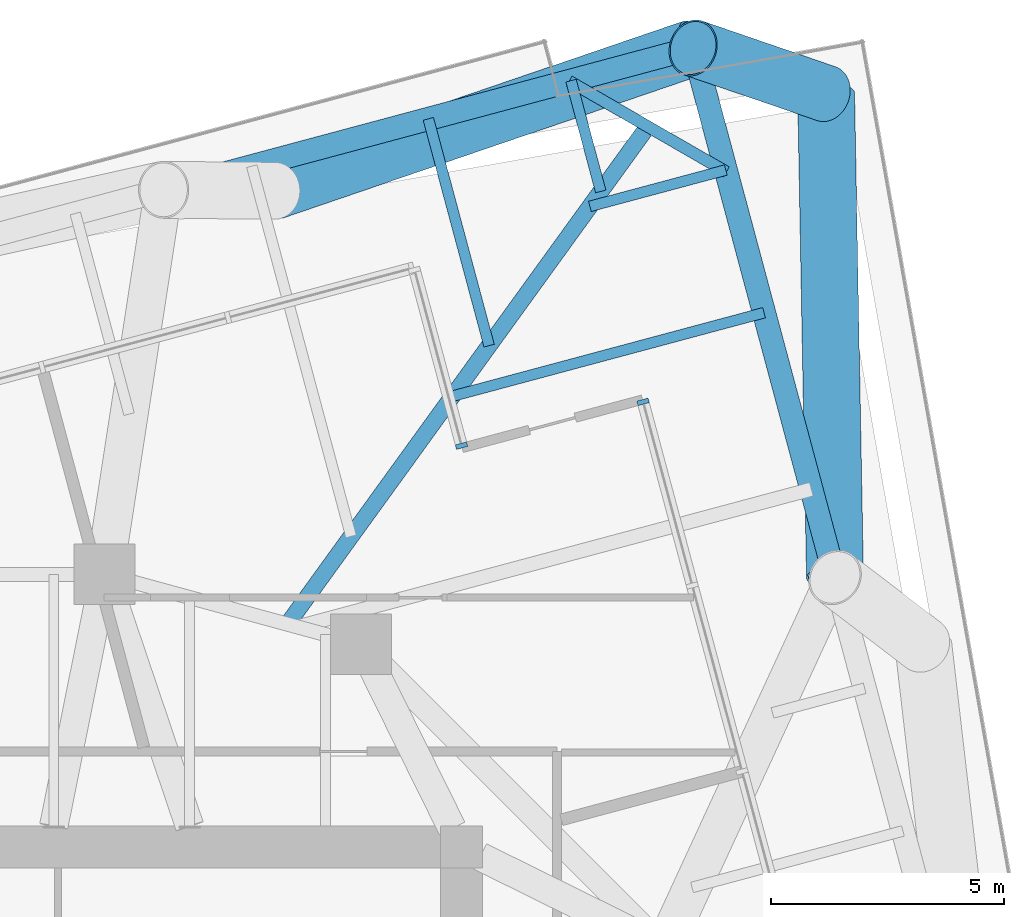
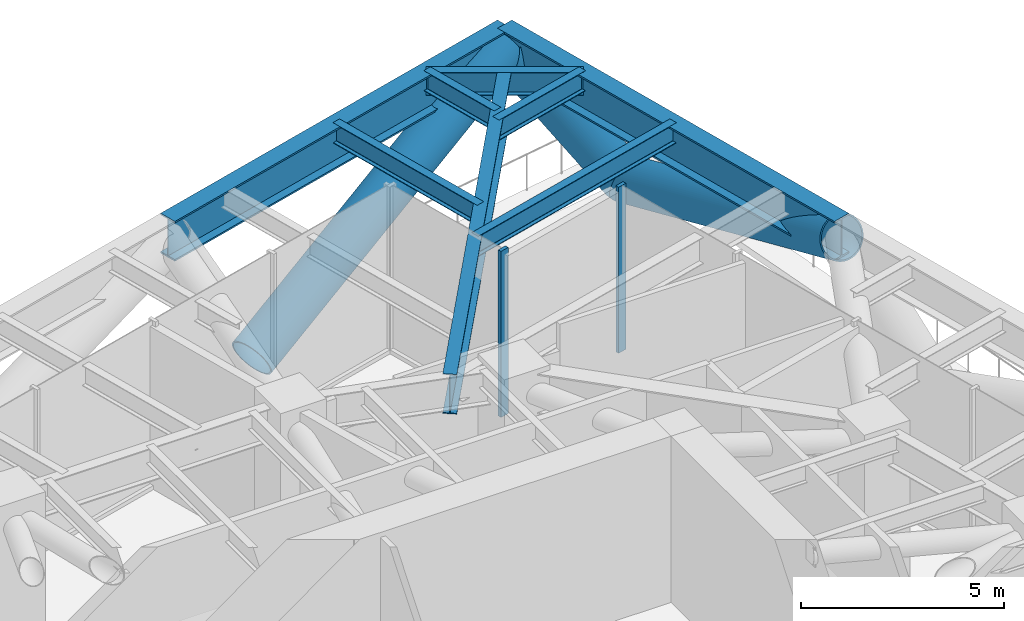
# One storey, part 7 of 14: 8 beams, 5 members, 2 elements without a shape of their own.
"""IFC4 building model written with IfcOpenShell, lengths in metres."""

from ifc_helpers import new_model, si_unit, direction, frame, origin, origin_2d, place, context, subcontext, project, spatial, rectangle, hollow_circle, i_section, extrude, material, material_profile, profile_set, type_object, element, aggregate, save


model = new_model("IFC4")

# Units and contexts
model_context = context("Model", 3, precision=1e-05, world=origin(), true_north=direction((0.0, 1.0)))
body_context = subcontext(model_context, "Body", "Model", "MODEL_VIEW")
ifc_project = project(units=[si_unit("LENGTHUNIT", "METRE"), si_unit("AREAUNIT", "SQUARE_METRE"), si_unit("VOLUMEUNIT", "CUBIC_METRE"), si_unit("PLANEANGLEUNIT", "RADIAN"), si_unit("MASSUNIT", "GRAM", prefix="KILO")], contexts=[model_context])

# Site, building, storey
site_placement = place(None, origin())
site = spatial("IfcSite", under=ifc_project, at=site_placement, CompositionType="ELEMENT")
building_placement = place(site_placement, origin())
building = spatial("IfcBuilding", under=site, at=building_placement, Name="Torsade Residences", CompositionType="ELEMENT")
storey_placement = place(building_placement, frame((0.0, 0.0, 106.60009765625)))
storey = spatial("IfcBuildingStorey", under=building, at=storey_placement, Name="L29", CompositionType="ELEMENT", Elevation=106.60009765625)

# Beams
ifc_material_1 = material(Name="Steel grade 300", Category="steel")
ifc_material_profile_1 = material_profile(ifc_material_1, i_section(OverallWidth=0.35009765625, OverallDepth=1.199951171875, WebThickness=0.01611328125, FlangeThickness=0.028076171875, at=origin_2d()), Name="1200WB278")
ifc_profile_set_1 = profile_set([ifc_material_profile_1], Name="Steel grade 300")
beam_type_1 = type_object("IfcBeamType", Name="CORNER GIRDER 1200WB278", PredefinedType="BEAM", material=ifc_profile_set_1)
beam_1_placement = place(storey_placement, frame((55.644775390625, 57.097412109375, 4.25), z_axis=(-0.586391123924, -0.810028054936, 0.0), x_axis=(0.810028054936, -0.586391123924, 0.0)))
element("IfcBeam", 1, at=beam_1_placement, inside=storey, type_object=beam_type_1, Name="Corner girder 09 L30", PredefinedType="BEAM", context=body_context, shape_type="SweptSolid", body=[
    extrude(i_section(OverallWidth=0.35009765625, OverallDepth=1.199951171875, WebThickness=0.01611328125, FlangeThickness=0.028076171875, at=origin_2d()), origin(), (0.0, 0.0, 1.0), 13.1689453125),
])
ifc_material_2 = material(Name="Steel grade 300", Category="steel")
ifc_material_profile_2 = material_profile(ifc_material_2, i_section(OverallWidth=0.25, OverallDepth=0.699951171875, WebThickness=0.010009765625, FlangeThickness=0.02001953125, at=origin_2d()), Name="700WB130")
ifc_profile_set_2 = profile_set([ifc_material_profile_2], Name="Steel grade 300")
beam_type_2 = type_object("IfcBeamType", Name="CORNER TRIMMER 700WB130", PredefinedType="BEAM", material=ifc_profile_set_2)
beam_2_placement = place(storey_placement, frame((53.960693359375, 58.06982421875, 4.5), z_axis=(0.866028782848, -0.499994147244, 0.0), x_axis=(0.499994147244, 0.866028782848, 0.0)))
element("IfcBeam", 2, at=beam_2_placement, inside=storey, type_object=beam_type_2, Name="Corner trimmer 09 L30", PredefinedType="BEAM", context=body_context, shape_type="SweptSolid", body=[
    extrude(i_section(OverallWidth=0.25, OverallDepth=0.699951171875, WebThickness=0.010009765625, FlangeThickness=0.02001953125, at=origin_2d()), origin(), (0.0, 0.0, 1.0), 3.88916015625),
])
ifc_material_3 = material(Name="Steel grade 300", Category="steel")
ifc_material_profile_3 = material_profile(ifc_material_3, i_section(OverallWidth=0.22900390625, OverallDepth=0.612060546875, WebThickness=0.011962890625, FlangeThickness=0.01953125, FilletRadius=0.013916015625, at=origin_2d()), Name="610UB125")
ifc_profile_set_3 = profile_set([ifc_material_profile_3], Name="Steel grade 300")
beam_type_3 = type_object("IfcBeamType", Name="SECONDARY BEAM 610UB125", PredefinedType="JOIST", material=ifc_profile_set_3)
beam_3_placement = place(storey_placement, frame((58.137451171875, 53.106689453125, 4.5439453125), z_axis=(-0.965924718252, -0.258823180318, 0.0), x_axis=(0.258823180318, -0.965924718252, 0.0)))
element("IfcBeam", 3, at=beam_3_placement, inside=storey, type_object=beam_type_3, Name="Floor beam FE11 L30", PredefinedType="JOIST", context=body_context, shape_type="SweptSolid", body=[
    extrude(i_section(OverallWidth=0.22900390625, OverallDepth=0.612060546875, WebThickness=0.011962890625, FlangeThickness=0.01953125, FilletRadius=0.013916015625, at=origin_2d()), origin(), (0.0, 0.0, 1.0), 6.912353515625),
])
beam_4_placement = place(storey_placement, frame((57.31787109375, 56.16552734375, 4.5439453125), z_axis=(-0.965923839014, -0.258826461598, 0.0), x_axis=(0.258826461598, -0.965923839014, 0.0)))
element("IfcBeam", 4, at=beam_4_placement, inside=storey, type_object=beam_type_3, Name="Floor beam FE12 L30", PredefinedType="JOIST", context=body_context, shape_type="SweptSolid", body=[
    extrude(i_section(OverallWidth=0.22900390625, OverallDepth=0.612060546875, WebThickness=0.011962890625, FlangeThickness=0.01953125, FilletRadius=0.013916015625, at=origin_2d()), origin(), (0.0, 0.0, 1.0), 3.015625),
])
beam_5_placement = place(storey_placement, frame((54.0009765625, 58.08056640625, 4.5439453125), z_axis=(0.258787376889, -0.965934311205, 0.0), x_axis=(0.965934311205, 0.258787376889, 0.0)))
element("IfcBeam", 5, at=beam_5_placement, inside=storey, type_object=beam_type_3, Name="Floor beam FN01 L30", PredefinedType="JOIST", context=body_context, shape_type="SweptSolid", body=[
    extrude(i_section(OverallWidth=0.22900390625, OverallDepth=0.612060546875, WebThickness=0.011962890625, FlangeThickness=0.01953125, FilletRadius=0.013916015625, at=origin_2d()), origin(), (0.0, 0.0, 1.0), 2.45849609375),
])
beam_6_placement = place(storey_placement, frame((50.942138671875, 57.260986328125, 4.5439453125), z_axis=(0.258837130403, -0.965920980166, 0.0), x_axis=(0.965920980166, 0.258837130403, 0.0)))
element("IfcBeam", 6, at=beam_6_placement, inside=storey, type_object=beam_type_3, Name="Floor beam FN02 L30", PredefinedType="JOIST", context=body_context, shape_type="SweptSolid", body=[
    extrude(i_section(OverallWidth=0.22900390625, OverallDepth=0.612060546875, WebThickness=0.011962890625, FlangeThickness=0.01953125, FilletRadius=0.013916015625, at=origin_2d()), origin(), (0.0, 0.0, 1.0), 5.031982421875),
])

# Curtain wall, member
ifc_material_4 = material(Name="Aluminium and glass", Category="aluminium")
curtain_wall_type = type_object("IfcCurtainWallType", Name="TRANSFER LEVEL CURTAIN WALL LOW ZONE", PredefinedType="NOTDEFINED", material=ifc_material_4)
curtain_wall_1_placement = place(storey_placement, origin())
curtain_wall_1 = element("IfcCurtainWall", 7, at=curtain_wall_1_placement, inside=storey, type_object=curtain_wall_type, Name="Curtain wall L29 face 4", PredefinedType="NOTDEFINED")
ifc_material_5 = material(Name="Aluminium mullion", Category="aluminium")
ifc_material_profile_4 = material_profile(ifc_material_5, rectangle(XDim=0.25, YDim=0.10009765625, at=origin_2d()), Name="TRANSFER LEVEL CURTAIN WALL MULLION 250x100")
ifc_profile_set_4 = profile_set([ifc_material_profile_4], Name="Aluminium mullion")
member_type_1 = type_object("IfcMemberType", Name="TRANSFER LEVEL CURTAIN WALL MULLION 250x100", PredefinedType="MULLION", material=ifc_profile_set_4)
member_1_placement = place(storey_placement, frame((55.5439453125, 51.1953125, 0.0), z_axis=(0.0, 0.0, 1.0), x_axis=(-0.965925823899, -0.258819054021, 0.0)))
member_1 = element("IfcMember", 8, at=member_1_placement, type_object=member_type_1, Name="Mullion 9", PredefinedType="MULLION", context=body_context, shape_type="SweptSolid", body=[
    extrude(rectangle(XDim=0.25, YDim=0.10009765625, at=origin_2d()), origin(), (0.0, 0.0, 1.0), 5.0),
])
aggregate(curtain_wall_1, [member_1])

curtain_wall_2_placement = place(storey_placement, origin())
curtain_wall_2 = element("IfcCurtainWall", 9, at=curtain_wall_2_placement, inside=storey, type_object=curtain_wall_type, Name="Curtain wall L29 face 6", PredefinedType="NOTDEFINED")
member_2_placement = place(storey_placement, frame((51.654296875, 50.256591796875, 0.0), z_axis=(0.0, 0.0, 1.0), x_axis=(-0.965925849201, -0.258818959596, 0.0)))
member_2 = element("IfcMember", 10, at=member_2_placement, type_object=member_type_1, Name="Mullion 1", PredefinedType="MULLION", context=body_context, shape_type="SweptSolid", body=[
    extrude(rectangle(XDim=0.25, YDim=0.10009765625, at=origin_2d()), origin(), (0.0, 0.0, 1.0), 5.0),
])
aggregate(curtain_wall_2, [member_2])

# Beams
ifc_material_6 = material(Name="Steel grade 350", Category="steel")
ifc_material_profile_5 = material_profile(ifc_material_6, i_section(OverallWidth=0.5, OverallDepth=1.199951171875, WebThickness=0.031982421875, FlangeThickness=0.050048828125, at=origin_2d()), Name="1200x500x50x32WPG")
ifc_profile_set_5 = profile_set([ifc_material_profile_5], Name="Steel grade 350")
beam_type_4 = type_object("IfcBeamType", Name="TRANSFER TRUSS CHORD 1200x500x50x32WPG", PredefinedType="USERDEFINED", material=ifc_profile_set_5)
for number, where, z_axis, x_axis, name in (
    (11, (59.658203125, 47.431884765625, 4.25), (-0.258830249097, 0.965922824118, 0.0), (-0.965922824118, -0.258830249097, 0.0), "Transfer truss TT3 top chord 08"),
    (12, (56.616943359375, 58.781494140625, 4.25), (-0.965928018634, -0.258810863021, 0.0), (0.258810863021, -0.965928018634, 0.0), "Transfer truss TT3 top chord 09"),
):
    element("IfcBeam", number, at=place(storey_placement, frame(where, z_axis=z_axis, x_axis=x_axis)), inside=storey, type_object=beam_type_4, Name=name, ObjectType="TRANSFER TRUSS CHORD", PredefinedType="USERDEFINED", context=body_context, shape_type="SweptSolid", body=[
        extrude(i_section(OverallWidth=0.5, OverallDepth=1.199951171875, WebThickness=0.031982421875, FlangeThickness=0.050048828125, at=origin_2d()), origin(), (0.0, 0.0, 1.0), 11.75),
    ])

# Members
ifc_material_7 = material(Name="Steel grade 450", Category="steel")
ifc_material_profile_6 = material_profile(ifc_material_7, hollow_circle(Radius=0.609619140625, WallThickness=0.0400390625, at=origin_2d()), Name="1219.0x40.0CHS")
ifc_profile_set_6 = profile_set([ifc_material_profile_6], Name="Steel grade 450")
member_type_2 = type_object("IfcMemberType", Name="TRANSFER TRUSS DIAGONAL 1219.0x40.0CHS", PredefinedType="BRACE", material=ifc_profile_set_6)
member_3_placement = place(storey_placement, frame((59.4677734375, 57.802978515625, -0.2001953125), z_axis=(0.016871348321, -0.918839585468, 0.394270432296), x_axis=(0.999831468768, 0.018358487421, 0.0)))
element("IfcMember", 13, at=member_3_placement, inside=storey, type_object=member_type_2, Name="Transfer truss TT3 diagonal 08", PredefinedType="BRACE", context=body_context, shape_type="SweptSolid", body=[
    extrude(hollow_circle(Radius=0.609619140625, WallThickness=0.0400390625, at=origin_2d()), origin(), (0.0, 0.0, 1.0), 11.287109375),
])
member_4_placement = place(storey_placement, frame((47.650146484375, 55.71923828125, -0.2001953125), z_axis=(0.856567488808, 0.292526846333, 0.425111963243), x_axis=(-0.323183813062, 0.946336210326, 0.0)))
element("IfcMember", 14, at=member_4_placement, inside=storey, type_object=member_type_2, Name="Transfer truss TT3 diagonal 09", PredefinedType="BRACE", context=body_context, shape_type="SweptSolid", body=[
    extrude(hollow_circle(Radius=0.609619140625, WallThickness=0.0400390625, at=origin_2d()), origin(), (0.0, 0.0, 1.0), 10.46826171875),
])
ifc_material_8 = material(Name="Steel grade 450", Category="steel")
ifc_material_profile_7 = material_profile(ifc_material_8, hollow_circle(Radius=0.609619140625, WallThickness=0.031982421875, at=origin_2d()), Name="1219.0x32.0CHS")
ifc_profile_set_7 = profile_set([ifc_material_profile_7], Name="Steel grade 450")
member_type_3 = type_object("IfcMemberType", Name="TRANSFER TRUSS RAKING STRUT 1219.0x32.0CHS", PredefinedType="STRUT", material=ifc_profile_set_7)
member_5_placement = place(storey_placement, frame((59.4677734375, 57.802978515625, -0.2001953125), z_axis=(-0.530402245217, 0.182054654349, 0.827967125615), x_axis=(-0.324647358096, -0.945835129862, 0.0)))
element("IfcMember", 15, at=member_5_placement, inside=storey, type_object=member_type_3, Name="Transfer truss TT3 raking strut 09", PredefinedType="STRUT", context=body_context, shape_type="SweptSolid", body=[
    extrude(hollow_circle(Radius=0.609619140625, WallThickness=0.031982421875, at=origin_2d()), origin(), (0.0, 0.0, 1.0), 5.374755859375),
])

save(model, "model.ifc")
